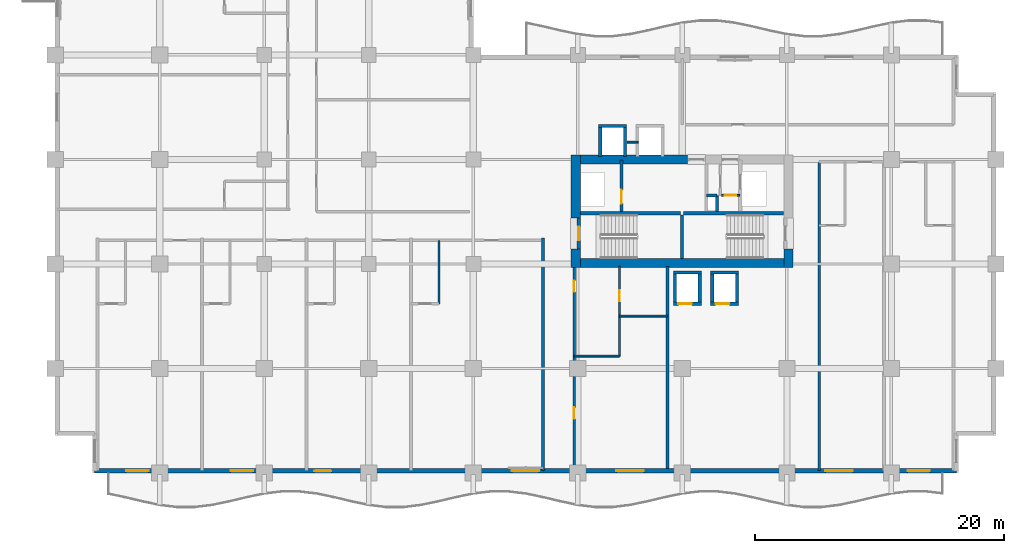
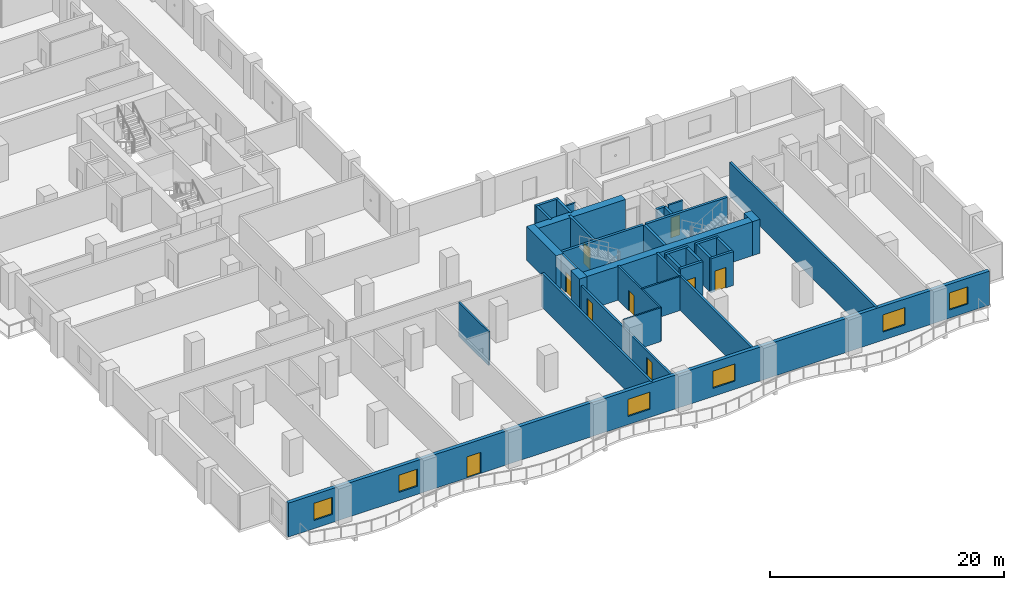
# One storey, part 5 of 18: 34 walls, 9 doors, 6 windows, 15 openings.
"""IFC4 building model written with IfcOpenShell, lengths in metres."""

import ifcopenshell
import ifcopenshell.guid

model = None  # the IFC model being written
_history = None  # IfcOwnerHistory: only IFC2X3 demands one
_inside = {}  # id of a spatial element -> (the spatial element, [elements in it])
_under = {}  # id of a project, library or spatial element -> (it, [spatial elements below it])
_declared = {}  # id of a project -> (the project, [libraries it declares])
_typed = {}  # id of a type object -> (the type object, [elements of that type])
_made_of = {}  # id of a material, layer set ... -> (it, [elements and type objects made of it])


def new_model(schema):
    """Start an empty IFC model of exactly this schema.

    Asked for "IFC4X3", IfcOpenShell would pick the latest addendum, in which some entities
    have other attributes; the version numbers below select the first issue.
    IFC2X3 requires an IfcOwnerHistory on every rooted entity: one is made here for all.
    """
    global model, _history
    if schema == "IFC4X3":
        model = ifcopenshell.file(schema_version=(4, 3, 0, 0))
    else:
        model = ifcopenshell.file(schema=schema)
    _inside.clear()
    _under.clear()
    _declared.clear()
    _typed.clear()
    _made_of.clear()
    _history = None
    if model.schema == "IFC2X3":
        org = make("IfcOrganization", Name="unknown")
        user = make(
            "IfcPersonAndOrganization",
            ThePerson=make("IfcPerson", FamilyName="unknown"),
            TheOrganization=org,
        )
        app = make(
            "IfcApplication",
            ApplicationDeveloper=org,
            Version="unknown",
            ApplicationFullName="unknown",
            ApplicationIdentifier="unknown",
        )
        _history = make(
            "IfcOwnerHistory",
            OwningUser=user,
            OwningApplication=app,
            ChangeAction="ADDED",
            CreationDate=0,
        )
    return model


def make(cls, **values):
    """One entity of the class cls with the attributes given. An attribute that is None is left unset."""
    return model.create_entity(
        cls, **{name: value for name, value in values.items() if value is not None}
    )


def rooted(cls, **values):
    """An entity with a GlobalId (a new one), such as an element, a storey or a relation."""
    return make(cls, GlobalId=ifcopenshell.guid.new(), OwnerHistory=_history, **values)


def si_unit(unit_type, name, prefix=None):
    """IfcSIUnit, for example si_unit("LENGTHUNIT", "METRE", prefix="MILLI")."""
    return make("IfcSIUnit", UnitType=unit_type, Prefix=prefix, Name=name)


def assignment(units):
    """IfcUnitAssignment: the units of a project."""
    return None if units is None else make("IfcUnitAssignment", Units=units)


def point(xyz):
    """IfcCartesianPoint."""
    return None if xyz is None else make("IfcCartesianPoint", Coordinates=xyz)


def direction(xyz):
    """IfcDirection."""
    return None if xyz is None else make("IfcDirection", DirectionRatios=xyz)


def frame(location, z_axis=None, x_axis=None):
    """IfcAxis2Placement3D, a coordinate frame: its origin and axes. An axis left out is left unset."""
    return make(
        "IfcAxis2Placement3D",
        Location=point(location),
        Axis=direction(z_axis),
        RefDirection=direction(x_axis),
    )


def frame_2d(location, x_axis=None):
    """IfcAxis2Placement2D, a coordinate frame in the plane: its origin and x axis."""
    return make(
        "IfcAxis2Placement2D", Location=point(location), RefDirection=direction(x_axis)
    )


def origin():
    """The frame at (0, 0, 0) with its axes left unset."""
    return frame((0.0, 0.0, 0.0))


def place(relative_to, where):
    """IfcLocalPlacement: puts the frame where relative to a parent placement (None: the world)."""
    return make(
        "IfcLocalPlacement", PlacementRelTo=relative_to, RelativePlacement=where
    )


def context(
    kind, dimensions, precision=None, world=None, true_north=None, identifier=None
):
    """IfcGeometricRepresentationContext, for example the 3D "Model" context."""
    return make(
        "IfcGeometricRepresentationContext",
        ContextIdentifier=identifier,
        ContextType=kind,
        CoordinateSpaceDimension=dimensions,
        Precision=precision,
        WorldCoordinateSystem=world,
        TrueNorth=true_north,
    )


def subcontext(parent, identifier, kind, view, scale=None):
    """IfcGeometricRepresentationSubContext, for example "Body" below "Model"."""
    return make(
        "IfcGeometricRepresentationSubContext",
        ContextIdentifier=identifier,
        ContextType=kind,
        ParentContext=parent,
        TargetScale=scale,
        TargetView=view,
    )


def project(units=None, contexts=None):
    """IfcProject with its units and contexts."""
    return rooted(
        "IfcProject",
        Name="project",
        RepresentationContexts=contexts,
        UnitsInContext=assignment(units),
    )


def spatial(cls, under=None, at=None, **own):
    """A site, building, storey or space (cls), placed at a placement, below another one or the project."""
    s = rooted(cls, ObjectPlacement=at, **own)
    if under is not None:
        _under.setdefault(under.id(), (under, []))[1].append(s)
    return s


def profile(cls, at=None, kind="AREA", **sizes):
    """A parametric profile (cls). Its sizes go by their IFC names, for example OverallWidth=200.0."""
    return make(cls, ProfileType=kind, Position=at, **sizes)


def rectangle(**sizes):
    """IfcRectangleProfileDef."""
    return profile("IfcRectangleProfileDef", **sizes)


def extrude(swept, where, along, depth):
    """IfcExtrudedAreaSolid: the profile swept, set in the frame where, extruded along a direction by depth."""
    return make(
        "IfcExtrudedAreaSolid",
        SweptArea=swept,
        Position=where,
        ExtrudedDirection=direction(along),
        Depth=depth,
    )


def shape(context_of_items, identifier, shape_type, items):
    """IfcShapeRepresentation: the items that make up one representation, for example the "Body"."""
    return make(
        "IfcShapeRepresentation",
        ContextOfItems=context_of_items,
        RepresentationIdentifier=identifier,
        RepresentationType=shape_type,
        Items=items,
    )


def material(Name=None, Category=None):
    """IfcMaterial."""
    return make("IfcMaterial", Name=Name, Category=Category)


def layer(
    of_material, thickness, ventilated=None, Name=None, Category=None, Priority=None
):
    """IfcMaterialLayer: one layer of a wall or slab, of a material (None: an air gap)."""
    return make(
        "IfcMaterialLayer",
        Material=of_material,
        LayerThickness=thickness,
        IsVentilated=ventilated,
        Name=Name,
        Category=Category,
        Priority=Priority,
    )


def layer_set(layers, Name=None):
    """IfcMaterialLayerSet."""
    return make("IfcMaterialLayerSet", MaterialLayers=layers, LayerSetName=Name)


def made_of(thing, what):
    """Note that an element or type object is made of a material, layer set ...; save() writes the relation."""
    if what is not None:
        _made_of.setdefault(what.id(), (what, []))[1].append(thing)
    return thing


def type_object(cls, material=None, **own):
    """A type object (cls), such as IfcWallType, which elements share."""
    return made_of(rooted(cls, **own), material)


def element(
    cls,
    number,
    at=None,
    inside=None,
    cuts=None,
    type_object=None,
    material=None,
    context=None,
    identifier="Body",
    shape_type=None,
    held_by="IfcProductDefinitionShape",
    body=None,
    shapes=None,
    **own,
):
    """One element of the class cls, such as IfcWall. Its Tag is "e" and its number.

    at: its placement. inside: the storey or other place that contains it. cuts: it is an
    opening in that element (IfcRelVoidsElement). A single representation is given by context,
    identifier, shape_type and body (its items); several are given by shapes. held_by: the class
    of the entity that holds the representations. save() writes the other relations.
    """
    e = rooted(cls, Tag="e%d" % number, ObjectPlacement=at, **own)
    if body is not None:
        shapes = [shape(context, identifier, shape_type, body)]
    if shapes is not None:
        e.Representation = make(held_by, Representations=shapes)
    if inside is not None:
        _inside.setdefault(inside.id(), (inside, []))[1].append(e)
    if cuts is not None:
        rooted(
            "IfcRelVoidsElement", RelatingBuildingElement=cuts, RelatedOpeningElement=e
        )
    if type_object is not None:
        _typed.setdefault(type_object.id(), (type_object, []))[1].append(e)
    return made_of(e, material)


def fill(opening, filler):
    """IfcRelFillsElement: the door or window that sits in an opening."""
    return rooted(
        "IfcRelFillsElement",
        RelatingOpeningElement=opening,
        RelatedBuildingElement=filler,
    )


def aggregate(whole, parts):
    """IfcRelAggregates: a whole, such as a stair, and the parts it consists of."""
    return rooted("IfcRelAggregates", RelatingObject=whole, RelatedObjects=parts)


def save(model, path):
    """Write the relations noted so far, then the file.

    IfcRelAggregates (storeys below a building ...), IfcRelContainedInSpatialStructure (elements
    in a storey), IfcRelDefinesByType, IfcRelAssociatesMaterial and IfcRelDeclares: one each for
    every whole, place, type object, material and project.
    """
    for whole, parts in _under.values():
        aggregate(whole, parts)
    for where, things in _inside.values():
        rooted(
            "IfcRelContainedInSpatialStructure",
            RelatedElements=things,
            RelatingStructure=where,
        )
    for kind, things in _typed.values():
        rooted("IfcRelDefinesByType", RelatedObjects=things, RelatingType=kind)
    for what, things in _made_of.values():
        rooted("IfcRelAssociatesMaterial", RelatedObjects=things, RelatingMaterial=what)
    for by, libraries in _declared.values():
        rooted("IfcRelDeclares", RelatingContext=by, RelatedDefinitions=libraries)
    model.write(path)


model = new_model("IFC4")

# Units and contexts
model_context = context("Model", 3, precision=1e-05, world=origin(), true_north=direction((0.0, 1.0)))
body_context = subcontext(model_context, "Body", "Model", "MODEL_VIEW")
ifc_project = project(units=[si_unit("LENGTHUNIT", "METRE"), si_unit("AREAUNIT", "SQUARE_METRE"), si_unit("VOLUMEUNIT", "CUBIC_METRE"), si_unit("PLANEANGLEUNIT", "RADIAN"), si_unit("MASSUNIT", "GRAM", prefix="KILO")], contexts=[model_context])

# Site, building, storey
site_placement = place(None, origin())
site = spatial("IfcSite", under=ifc_project, at=site_placement, CompositionType="ELEMENT")
building_placement = place(site_placement, origin())
building = spatial("IfcBuilding", under=site, at=building_placement, Name="Koriwani Terraces Tower", CompositionType="ELEMENT")
storey_placement = place(building_placement, frame((0.0, 0.0, 107.60009765625)))
storey = spatial("IfcBuildingStorey", under=building, at=storey_placement, Name="L25", CompositionType="ELEMENT", Elevation=107.60009765625)

# Walls
ifc_material_1 = material(Name="Concrete C60/75", Category="concrete")
ifc_layer_1 = layer(ifc_material_1, 0.75, Name="Concrete C60/75")
ifc_layer_set_1 = layer_set([ifc_layer_1], Name="Concrete C60/75")
wall_type_1 = type_object("IfcWallType", Name="WALL_CORE_RC_750", PredefinedType="SHEAR", material=ifc_layer_set_1)
wall_1_placement = place(storey_placement, frame((41.824951171875, 16.5, 0.0), z_axis=(0.0, 0.0, 1.0), x_axis=(0.0, 1.0, 0.0)))
element("IfcWall", 1, at=wall_1_placement, inside=storey, type_object=wall_type_1, Name="L25 East Split Core Shear Wall W1", PredefinedType="SHEAR", context=body_context, shape_type="SweptSolid", body=[
    extrude(rectangle(XDim=1.5, YDim=0.75, at=frame_2d((0.75, 0.0))), origin(), (0.0, 0.0, 1.0), 3.5498046875),
])
wall_2_placement = place(storey_placement, frame((41.824951171875, 20.5, 0.0), z_axis=(0.0, 0.0, 1.0), x_axis=(0.0, 1.0, 0.0)))
element("IfcWall", 2, at=wall_2_placement, inside=storey, type_object=wall_type_1, Name="L25 East Split Core Shear Wall W2", PredefinedType="SHEAR", context=body_context, shape_type="SweptSolid", body=[
    extrude(rectangle(XDim=5.074951171875, YDim=0.75, at=frame_2d((2.53759765625, 0.0))), origin(), (0.0, 0.0, 1.0), 3.5498046875),
])
wall_3_placement = place(storey_placement, frame((58.925048828125, 16.5, 0.0), z_axis=(0.0, 0.0, 1.0), x_axis=(0.0, 1.0, 0.0)))
element("IfcWall", 3, at=wall_3_placement, inside=storey, type_object=wall_type_1, Name="L25 East Split Core Shear Wall E1", PredefinedType="SHEAR", context=body_context, shape_type="SweptSolid", body=[
    extrude(rectangle(XDim=1.5, YDim=0.75, at=frame_2d((0.75, 0.0))), origin(), (0.0, 0.0, 1.0), 3.5498046875),
])
wall_4_placement = place(storey_placement, frame((42.199951171875, 16.875, 0.0), z_axis=(0.0, 0.0, 1.0), x_axis=(1.0, 0.0, 0.0)))
element("IfcWall", 4, at=wall_4_placement, inside=storey, type_object=wall_type_1, Name="L25 East Split Core Shear Wall S1", PredefinedType="SHEAR", context=body_context, shape_type="SweptSolid", body=[
    extrude(rectangle(XDim=16.35009765625, YDim=0.75, at=frame_2d((8.175048828125, 0.0))), origin(), (0.0, 0.0, 1.0), 3.5498046875),
])
wall_5_placement = place(storey_placement, frame((42.199951171875, 25.199951171875, 0.0), z_axis=(0.0, 0.0, 1.0), x_axis=(1.0, 0.0, 0.0)))
element("IfcWall", 5, at=wall_5_placement, inside=storey, type_object=wall_type_1, Name="L25 East Split Core Shear Wall N1", PredefinedType="SHEAR", context=body_context, shape_type="SweptSolid", body=[
    extrude(rectangle(XDim=8.60009765625, YDim=0.75, at=frame_2d((4.300048828125, 0.0))), origin(), (0.0, 0.0, 1.0), 3.5498046875),
])

# Wall, openings, doors
ifc_material_2 = material(Name="Autoclaved Cellular Concrete Blockwork", Category="masonry")
ifc_layer_2 = layer(ifc_material_2, 0.199951171875, Name="Autoclaved Cellular Concrete Blockwork")
ifc_layer_set_2 = layer_set([ifc_layer_2], Name="Autoclaved Cellular Concrete Blockwork")
wall_type_2 = type_object("IfcWallType", Name="WALL_CORRIDOR_200", PredefinedType="PARTITIONING", material=ifc_layer_set_2)
wall_6_placement = place(storey_placement, frame((41.699951171875, 0.35009765625, 0.0), z_axis=(0.0, 0.0, 1.0), x_axis=(0.0, 1.0, 0.0)))
wall_6 = element("IfcWall", 6, at=wall_6_placement, inside=storey, type_object=wall_type_2, Name="L25 Interior Wall WREC-EW-L25", PredefinedType="PARTITIONING", context=body_context, shape_type="SweptSolid", body=[
    extrude(rectangle(XDim=16.25, YDim=0.199951171875, at=frame_2d((8.125, 0.0))), origin(), (0.0, 0.0, 1.0), 2.7998046875),
])
opening_1_placement = place(wall_6_placement, frame((4.0, 0.0, 0.0)))
opening_1 = element("IfcOpeningElement", 7, at=opening_1_placement, cuts=wall_6, Name="Opening D-06", PredefinedType="OPENING", context=body_context, shape_type="SweptSolid", body=[
    extrude(rectangle(XDim=0.919921875, YDim=2.10009765625, at=frame_2d((0.4599609375, 1.050048828125))), frame((0.0, 0.10986328125, 0.0), z_axis=(0.0, -1.0, 0.0), x_axis=(1.0, 0.0, 0.0)), (0.0, 0.0, 1.0), 0.219970703125),
])
opening_2_placement = place(wall_6_placement, frame((14.199951171875, 0.0, 0.0)))
opening_2 = element("IfcOpeningElement", 8, at=opening_2_placement, cuts=wall_6, Name="Opening D-06", PredefinedType="OPENING", context=body_context, shape_type="SweptSolid", body=[
    extrude(rectangle(XDim=0.919921875, YDim=2.10009765625, at=frame_2d((0.4599609375, 1.050048828125))), frame((0.0, 0.10986328125, 0.0), z_axis=(0.0, -1.0, 0.0), x_axis=(1.0, 0.0, 0.0)), (0.0, 0.0, 1.0), 0.219970703125),
])
ifc_material_3 = material(Name="Architectural Oak Fire Door", Category="wood")
door_type_1 = type_object("IfcDoorType", Name="DOOR_ROOM_INT_920X2100", OperationType="NOTDEFINED", PredefinedType="DOOR", material=ifc_material_3)
door_1_placement = place(opening_1_placement, origin())
door_1 = element("IfcDoor", 9, at=door_1_placement, inside=storey, type_object=door_type_1, Name="L25 Floor Study Lounge Door", OperationType="SINGLE_SWING_RIGHT", OverallHeight=2.10009765625, OverallWidth=0.919921875, PredefinedType="DOOR", context=body_context, shape_type="SweptSolid", body=[
    extrude(rectangle(XDim=0.919921875, YDim=2.10009765625, at=frame_2d((0.4599609375, 1.050048828125))), frame((0.0, 0.02490234375, 0.0), z_axis=(0.0, -1.0, 0.0), x_axis=(1.0, 0.0, 0.0)), (0.0, 0.0, 1.0), 0.050048828125),
])
fill(opening_1, door_1)
door_2_placement = place(opening_2_placement, origin())
door_2 = element("IfcDoor", 10, at=door_2_placement, inside=storey, type_object=door_type_1, Name="L25 Housekeeping Store Door", OperationType="SINGLE_SWING_LEFT", OverallHeight=2.10009765625, OverallWidth=0.919921875, PredefinedType="DOOR", context=body_context, shape_type="SweptSolid", body=[
    extrude(rectangle(XDim=0.919921875, YDim=2.10009765625, at=frame_2d((0.4599609375, 1.050048828125))), frame((0.0, 0.02490234375, 0.0), z_axis=(0.0, -1.0, 0.0), x_axis=(1.0, 0.0, 0.0)), (0.0, 0.0, 1.0), 0.050048828125),
])
fill(opening_2, door_2)

# Walls
ifc_layer_3 = layer(ifc_material_2, 0.219970703125, Name="Autoclaved Cellular Concrete Blockwork")
ifc_layer_set_3 = layer_set([ifc_layer_3], Name="Autoclaved Cellular Concrete Blockwork")
wall_type_3 = type_object("IfcWallType", Name="WALL_DEMISING_220", PredefinedType="PARTITIONING", material=ifc_layer_set_3)
wall_7_placement = place(storey_placement, frame((49.199951171875, 0.35009765625, 0.0), z_axis=(0.0, 0.0, 1.0), x_axis=(0.0, 1.0, 0.0)))
element("IfcWall", 11, at=wall_7_placement, inside=storey, type_object=wall_type_3, Name="L25 Interior Wall WREC-EE-L25", PredefinedType="PARTITIONING", context=body_context, shape_type="SweptSolid", body=[
    extrude(rectangle(XDim=16.25, YDim=0.219970703125, at=frame_2d((8.125, 0.0))), origin(), (0.0, 0.0, 1.0), 3.5498046875),
])
wall_8_placement = place(storey_placement, frame((39.199951171875, 0.199951171875, 0.0), z_axis=(0.0, 0.0, 1.0), x_axis=(0.0, 1.0, 0.0)))
element("IfcWall", 12, at=wall_8_placement, inside=storey, type_object=wall_type_3, Name="L25 Interior Wall WDEME-L25-SW", PredefinedType="PARTITIONING", context=body_context, shape_type="SweptSolid", body=[
    extrude(rectangle(XDim=18.679931640625, YDim=0.219970703125, at=frame_2d((9.33984375, 0.0))), origin(), (0.0, 0.0, 1.0), 3.5498046875),
])
wall_9_placement = place(storey_placement, frame((61.39990234375, 0.199951171875, 0.0), z_axis=(0.0, 0.0, 1.0), x_axis=(0.0, 1.0, 0.0)))
element("IfcWall", 13, at=wall_9_placement, inside=storey, type_object=wall_type_3, Name="L25 Interior Wall WDEM-L25-SE-0", PredefinedType="PARTITIONING", context=body_context, shape_type="SweptSolid", body=[
    extrude(rectangle(XDim=24.97998046875, YDim=0.219970703125, at=frame_2d((12.489990234375, 0.0))), origin(), (0.0, 0.0, 1.0), 3.5498046875),
])

# Wall, openings, door, windows
ifc_material_4 = material(Name="Concrete C50/60", Category="concrete")
ifc_layer_4 = layer(ifc_material_4, 0.35009765625, Name="Concrete C50/60")
ifc_layer_set_4 = layer_set([ifc_layer_4], Name="Concrete C50/60")
wall_type_4 = type_object("IfcWallType", Name="WALL_EXT_BRUTALIST_350", PredefinedType="STANDARD", material=ifc_layer_set_4)
wall_10_placement = place(storey_placement, frame((72.425048828125, 0.175048828125, 0.0), z_axis=(0.0, 0.0, 1.0), x_axis=(-1.0, 0.0, 0.0)))
wall_10 = element("IfcWall", 14, at=wall_10_placement, inside=storey, type_object=wall_type_4, Name="L25 Fair-Faced Brutalist Exterior Wall (S)", PredefinedType="STANDARD", context=body_context, shape_type="SweptSolid", body=[
    extrude(rectangle(XDim=69.25, YDim=0.35009765625, at=frame_2d((34.625, 0.0))), origin(), (0.0, 0.0, 1.0), 3.5498046875),
])
opening_3_placement = place(wall_10_placement, frame((50.22509765625, 0.0, 0.0)))
opening_3 = element("IfcOpeningElement", 15, at=opening_3_placement, cuts=wall_10, Name="Opening D-09", PredefinedType="OPENING", context=body_context, shape_type="SweptSolid", body=[
    extrude(rectangle(XDim=1.39990234375, YDim=2.199951171875, at=frame_2d((0.699951171875, 1.10009765625))), frame((0.0, 0.18505859375, 0.0), z_axis=(0.0, -1.0, 0.0), x_axis=(1.0, 0.0, 0.0)), (0.0, 0.0, 1.0), 0.3701171875),
])
opening_4_placement = place(wall_10_placement, frame((33.52490234375, 0.0, 0.85009765625)))
opening_4 = element("IfcOpeningElement", 16, at=opening_4_placement, cuts=wall_10, Name="Opening W-01", PredefinedType="OPENING", context=body_context, shape_type="SweptSolid", body=[
    extrude(rectangle(XDim=2.199951171875, YDim=1.800048828125, at=frame_2d((1.10009765625, 0.89990234375))), frame((0.0, 0.18505859375, 0.0), z_axis=(0.0, -1.0, 0.0), x_axis=(1.0, 0.0, 0.0)), (0.0, 0.0, 1.0), 0.3701171875),
])
opening_5_placement = place(wall_10_placement, frame((25.125, 0.0, 0.85009765625)))
opening_5 = element("IfcOpeningElement", 17, at=opening_5_placement, cuts=wall_10, Name="Opening W-01", PredefinedType="OPENING", context=body_context, shape_type="SweptSolid", body=[
    extrude(rectangle(XDim=2.199951171875, YDim=1.800048828125, at=frame_2d((1.10009765625, 0.89990234375))), frame((0.0, 0.18505859375, 0.0), z_axis=(0.0, -1.0, 0.0), x_axis=(1.0, 0.0, 0.0)), (0.0, 0.0, 1.0), 0.3701171875),
])
opening_6_placement = place(wall_10_placement, frame((8.324951171875, 0.0, 0.85009765625)))
opening_6 = element("IfcOpeningElement", 18, at=opening_6_placement, cuts=wall_10, Name="Opening W-01", PredefinedType="OPENING", context=body_context, shape_type="SweptSolid", body=[
    extrude(rectangle(XDim=2.199951171875, YDim=1.800048828125, at=frame_2d((1.10009765625, 0.89990234375))), frame((0.0, 0.18505859375, 0.0), z_axis=(0.0, -1.0, 0.0), x_axis=(1.0, 0.0, 0.0)), (0.0, 0.0, 1.0), 0.3701171875),
])
opening_7_placement = place(wall_10_placement, frame((64.925048828125, 0.0, 0.85009765625)))
opening_7 = element("IfcOpeningElement", 19, at=opening_7_placement, cuts=wall_10, Name="Opening W-04", PredefinedType="OPENING", context=body_context, shape_type="SweptSolid", body=[
    extrude(rectangle(XDim=1.800048828125, YDim=1.800048828125, at=frame_2d((0.89990234375, 0.89990234375))), frame((0.0, 0.18505859375, 0.0), z_axis=(0.0, -1.0, 0.0), x_axis=(1.0, 0.0, 0.0)), (0.0, 0.0, 1.0), 0.3701171875),
])
opening_8_placement = place(wall_10_placement, frame((56.52490234375, 0.0, 0.85009765625)))
opening_8 = element("IfcOpeningElement", 20, at=opening_8_placement, cuts=wall_10, Name="Opening W-04", PredefinedType="OPENING", context=body_context, shape_type="SweptSolid", body=[
    extrude(rectangle(XDim=1.800048828125, YDim=1.800048828125, at=frame_2d((0.89990234375, 0.89990234375))), frame((0.0, 0.18505859375, 0.0), z_axis=(0.0, -1.0, 0.0), x_axis=(1.0, 0.0, 0.0)), (0.0, 0.0, 1.0), 0.3701171875),
])
opening_9_placement = place(wall_10_placement, frame((2.125, 0.0, 0.85009765625)))
opening_9 = element("IfcOpeningElement", 21, at=opening_9_placement, cuts=wall_10, Name="Opening W-04", PredefinedType="OPENING", context=body_context, shape_type="SweptSolid", body=[
    extrude(rectangle(XDim=1.800048828125, YDim=1.800048828125, at=frame_2d((0.89990234375, 0.89990234375))), frame((0.0, 0.18505859375, 0.0), z_axis=(0.0, -1.0, 0.0), x_axis=(1.0, 0.0, 0.0)), (0.0, 0.0, 1.0), 0.3701171875),
])
ifc_material_5 = material(Name="Anodised Bronze Aluminium", Category="aluminium")
door_type_2 = type_object("IfcDoorType", Name="DOOR_BALCONY_GLAZED_1400X2200", OperationType="NOTDEFINED", PredefinedType="DOOR", material=ifc_material_5)
door_3_placement = place(opening_3_placement, origin())
door_3 = element("IfcDoor", 22, at=door_3_placement, inside=storey, type_object=door_type_2, Name="L25 South Balcony Glazed Door", OperationType="SINGLE_SWING_LEFT", OverallHeight=2.199951171875, OverallWidth=1.39990234375, PredefinedType="DOOR", context=body_context, shape_type="SweptSolid", body=[
    extrude(rectangle(XDim=1.39990234375, YDim=2.199951171875, at=frame_2d((0.699951171875, 1.10009765625))), frame((0.0, 0.02490234375, 0.0), z_axis=(0.0, -1.0, 0.0), x_axis=(1.0, 0.0, 0.0)), (0.0, 0.0, 1.0), 0.050048828125),
])
fill(opening_3, door_3)
ifc_material_6 = material(Name="Tempered Laminated Low-E Glass", Category="glass")
window_type_1 = type_object("IfcWindowType", Name="WIN_HOTEL_STD_2200X1800", PartitioningType="DOUBLE_PANEL_VERTICAL", PredefinedType="WINDOW", material=ifc_material_6)
window_1_placement = place(opening_4_placement, origin())
window_1 = element("IfcWindow", 23, at=window_1_placement, inside=storey, type_object=window_type_1, Name="L25 Exterior Window (S-12)", OverallHeight=1.800048828125, OverallWidth=2.199951171875, PartitioningType="SINGLE_PANEL", PredefinedType="WINDOW", context=body_context, shape_type="SweptSolid", body=[
    extrude(rectangle(XDim=2.199951171875, YDim=1.800048828125, at=frame_2d((1.10009765625, 0.89990234375))), frame((0.0, 0.030029296875, 0.0), z_axis=(0.0, -1.0, 0.0), x_axis=(1.0, 0.0, 0.0)), (0.0, 0.0, 1.0), 0.06005859375),
])
fill(opening_4, window_1)
window_2_placement = place(opening_5_placement, origin())
window_2 = element("IfcWindow", 24, at=window_2_placement, inside=storey, type_object=window_type_1, Name="L25 Exterior Window (S-15)", OverallHeight=1.800048828125, OverallWidth=2.199951171875, PartitioningType="SINGLE_PANEL", PredefinedType="WINDOW", context=body_context, shape_type="SweptSolid", body=[
    extrude(rectangle(XDim=2.199951171875, YDim=1.800048828125, at=frame_2d((1.10009765625, 0.89990234375))), frame((0.0, 0.030029296875, 0.0), z_axis=(0.0, -1.0, 0.0), x_axis=(1.0, 0.0, 0.0)), (0.0, 0.0, 1.0), 0.06005859375),
])
fill(opening_5, window_2)
window_3_placement = place(opening_6_placement, origin())
window_3 = element("IfcWindow", 25, at=window_3_placement, inside=storey, type_object=window_type_1, Name="L25 Exterior Window (S-21)", OverallHeight=1.800048828125, OverallWidth=2.199951171875, PartitioningType="SINGLE_PANEL", PredefinedType="WINDOW", context=body_context, shape_type="SweptSolid", body=[
    extrude(rectangle(XDim=2.199951171875, YDim=1.800048828125, at=frame_2d((1.10009765625, 0.89990234375))), frame((0.0, 0.030029296875, 0.0), z_axis=(0.0, -1.0, 0.0), x_axis=(1.0, 0.0, 0.0)), (0.0, 0.0, 1.0), 0.06005859375),
])
fill(opening_6, window_3)
window_type_2 = type_object("IfcWindowType", Name="WIN_RES_BED_1800X1800", PartitioningType="DOUBLE_PANEL_VERTICAL", PredefinedType="WINDOW", material=ifc_material_6)
window_4_placement = place(opening_7_placement, origin())
window_4 = element("IfcWindow", 26, at=window_4_placement, inside=storey, type_object=window_type_2, Name="L25 Exterior Window (S-R34)", OverallHeight=1.800048828125, OverallWidth=1.800048828125, PartitioningType="SINGLE_PANEL", PredefinedType="WINDOW", context=body_context, shape_type="SweptSolid", body=[
    extrude(rectangle(XDim=1.800048828125, YDim=1.800048828125, at=frame_2d((0.89990234375, 0.89990234375))), frame((0.0, 0.030029296875, 0.0), z_axis=(0.0, -1.0, 0.0), x_axis=(1.0, 0.0, 0.0)), (0.0, 0.0, 1.0), 0.06005859375),
])
fill(opening_7, window_4)
window_5_placement = place(opening_8_placement, origin())
window_5 = element("IfcWindow", 27, at=window_5_placement, inside=storey, type_object=window_type_2, Name="L25 Exterior Window (S-R36)", OverallHeight=1.800048828125, OverallWidth=1.800048828125, PartitioningType="SINGLE_PANEL", PredefinedType="WINDOW", context=body_context, shape_type="SweptSolid", body=[
    extrude(rectangle(XDim=1.800048828125, YDim=1.800048828125, at=frame_2d((0.89990234375, 0.89990234375))), frame((0.0, 0.030029296875, 0.0), z_axis=(0.0, -1.0, 0.0), x_axis=(1.0, 0.0, 0.0)), (0.0, 0.0, 1.0), 0.06005859375),
])
fill(opening_8, window_5)
window_6_placement = place(opening_9_placement, origin())
window_6 = element("IfcWindow", 28, at=window_6_placement, inside=storey, type_object=window_type_2, Name="L25 Exterior Window (S-R57)", OverallHeight=1.800048828125, OverallWidth=1.800048828125, PartitioningType="SINGLE_PANEL", PredefinedType="WINDOW", context=body_context, shape_type="SweptSolid", body=[
    extrude(rectangle(XDim=1.800048828125, YDim=1.800048828125, at=frame_2d((0.89990234375, 0.89990234375))), frame((0.0, 0.030029296875, 0.0), z_axis=(0.0, -1.0, 0.0), x_axis=(1.0, 0.0, 0.0)), (0.0, 0.0, 1.0), 0.06005859375),
])
fill(opening_9, window_6)

# Walls
ifc_material_7 = material(Name="Fire-Rated Acoustic Gypsum Partition", Category="masonry")
ifc_layer_5 = layer(ifc_material_7, 0.179931640625, Name="Fire-Rated Acoustic Gypsum Partition")
ifc_layer_set_5 = layer_set([ifc_layer_5], Name="Fire-Rated Acoustic Gypsum Partition")
wall_type_5 = type_object("IfcWallType", Name="WALL_PLUMBING_180", PredefinedType="PLUMBINGWALL", material=ifc_layer_set_5)
wall_11_placement = place(storey_placement, frame((30.85009765625, 13.60009765625, 0.0), z_axis=(0.0, 0.0, 1.0), x_axis=(0.0, 1.0, 0.0)))
element("IfcWall", 29, at=wall_11_placement, inside=storey, type_object=wall_type_5, Name="L25 Interior Wall WBTH2-L25-SW-3", PredefinedType="PLUMBINGWALL", context=body_context, shape_type="SweptSolid", body=[
    extrude(rectangle(XDim=5.099853515625, YDim=0.179931640625, at=frame_2d((2.5498046875, 0.0))), origin(), (0.0, 0.0, 1.0), 3.5498046875),
])
ifc_material_8 = material(Name="Concrete C40/50", Category="concrete")
ifc_layer_6 = layer(ifc_material_8, 0.25, Name="Concrete C40/50")
ifc_layer_set_6 = layer_set([ifc_layer_6], Name="Concrete C40/50")
wall_type_6 = type_object("IfcWallType", Name="WALL_SHAFT_RATED_250", PredefinedType="SOLIDWALL", material=ifc_layer_set_6)
for number, where, z_axis, x_axis, name in (
    (30, (42.199951171875, 20.875, 0.0), (0.0, 0.0, 1.0), (1.0, 0.0, 0.0), "L25 East Split Core Web Wall MID1"),
    (31, (50.5, 20.875, 0.0), (0.0, 0.0, 1.0), (1.0, 0.0, 0.0), "L25 East Split Core Web Wall MID2"),
):
    element("IfcWall", number, at=place(storey_placement, frame(where, z_axis=z_axis, x_axis=x_axis)), inside=storey, type_object=wall_type_6, Name=name, PredefinedType="SOLIDWALL", context=body_context, shape_type="SweptSolid", body=[
        extrude(rectangle(XDim=8.050048828125, YDim=0.25, at=frame_2d((4.02490234375, 0.0))), origin(), (0.0, 0.0, 1.0), 3.5498046875),
    ])
wall_12_placement = place(storey_placement, frame((50.375, 17.25, 0.0), z_axis=(0.0, 0.0, 1.0), x_axis=(0.0, 1.0, 0.0)))
element("IfcWall", 32, at=wall_12_placement, inside=storey, type_object=wall_type_6, Name="L25 East Split Core Stair Dividing Wall", PredefinedType="SOLIDWALL", context=body_context, shape_type="SweptSolid", body=[
    extrude(rectangle(XDim=3.5, YDim=0.25, at=frame_2d((1.75, 0.0))), origin(), (0.0, 0.0, 1.0), 3.5498046875),
])

# Wall, opening, door
wall_13_placement = place(storey_placement, frame((42.074951171875, 18.0, 0.0), z_axis=(0.0, 0.0, 1.0), x_axis=(0.0, 1.0, 0.0)))
wall_13 = element("IfcWall", 33, at=wall_13_placement, inside=storey, type_object=wall_type_6, Name="L25 Interior Wall WIN-CE-L25-STW", PredefinedType="SOLIDWALL", context=body_context, shape_type="SweptSolid", body=[
    extrude(rectangle(XDim=2.5, YDim=0.25, at=frame_2d((1.25, 0.0))), origin(), (0.0, 0.0, 1.0), 3.5498046875),
])
opening_10_placement = place(wall_13_placement, frame((0.699951171875, 0.0, 0.0)))
opening_10 = element("IfcOpeningElement", 34, at=opening_10_placement, cuts=wall_13, Name="Opening D-03", PredefinedType="OPENING", context=body_context, shape_type="SweptSolid", body=[
    extrude(rectangle(XDim=1.10009765625, YDim=2.14990234375, at=frame_2d((0.550048828125, 1.074951171875))), frame((0.0, 0.135009765625, 0.0), z_axis=(0.0, -1.0, 0.0), x_axis=(1.0, 0.0, 0.0)), (0.0, 0.0, 1.0), 0.27001953125),
])
ifc_material_9 = material(Name="Steel ASTM A572 Grade 50", Category="steel")
door_type_3 = type_object("IfcDoorType", Name="DOOR_STAIR_FIRE_1100X2150", OperationType="NOTDEFINED", PredefinedType="DOOR", material=ifc_material_9)
door_4_placement = place(opening_10_placement, origin())
door_4 = element("IfcDoor", 35, at=door_4_placement, inside=storey, type_object=door_type_3, Name="L25 Exit Stair ST-E1 Door", OperationType="SINGLE_SWING_LEFT", OverallHeight=2.14990234375, OverallWidth=1.10009765625, PredefinedType="DOOR", context=body_context, shape_type="SweptSolid", body=[
    extrude(rectangle(XDim=1.10009765625, YDim=2.14990234375, at=frame_2d((0.550048828125, 1.074951171875))), frame((0.0, 0.02490234375, 0.0), z_axis=(0.0, -1.0, 0.0), x_axis=(1.0, 0.0, 0.0)), (0.0, 0.0, 1.0), 0.050048828125),
])
fill(opening_10, door_4)

wall_14_placement = place(storey_placement, frame((45.5, 21.0, 0.0), z_axis=(0.0, 0.0, 1.0), x_axis=(0.0, 1.0, 0.0)))
wall_14 = element("IfcWall", 36, at=wall_14_placement, inside=storey, type_object=wall_type_6, Name="L25 Interior Wall WIN-CE-L25-FE", PredefinedType="SOLIDWALL", context=body_context, shape_type="SweptSolid", body=[
    extrude(rectangle(XDim=4.14990234375, YDim=0.25, at=frame_2d((2.074951171875, 0.0))), origin(), (0.0, 0.0, 1.0), 3.5498046875),
])
opening_11_placement = place(wall_14_placement, frame((0.64990234375, 0.0, 0.0)))
opening_11 = element("IfcOpeningElement", 37, at=opening_11_placement, cuts=wall_14, Name="Opening LD-01", PredefinedType="OPENING", context=body_context, shape_type="SweptSolid", body=[
    extrude(rectangle(XDim=1.10009765625, YDim=2.14990234375, at=frame_2d((0.550048828125, 1.074951171875))), frame((0.0, 0.135009765625, 0.0), z_axis=(0.0, -1.0, 0.0), x_axis=(1.0, 0.0, 0.0)), (0.0, 0.0, 1.0), 0.27001953125),
])
door_type_4 = type_object("IfcDoorType", Name="DOOR_LIFT_LANDING_1100X2200", OperationType="NOTDEFINED", PredefinedType="DOOR", material=ifc_material_9)
door_5_placement = place(opening_11_placement, origin())
door_5 = element("IfcDoor", 38, at=door_5_placement, inside=storey, type_object=door_type_4, Name="L25 Firefighting Lift FE-02 Landing Door", OperationType="SLIDING_TO_LEFT", OverallHeight=2.14990234375, OverallWidth=1.10009765625, PredefinedType="DOOR", context=body_context, shape_type="SweptSolid", body=[
    extrude(rectangle(XDim=1.10009765625, YDim=2.14990234375, at=frame_2d((0.550048828125, 1.074951171875))), frame((0.0, 0.02490234375, 0.0), z_axis=(0.0, -1.0, 0.0), x_axis=(1.0, 0.0, 0.0)), (0.0, 0.0, 1.0), 0.050048828125),
])
fill(opening_11, door_5)

# Walls
wall_15_placement = place(storey_placement, frame((53.199951171875, 21.0, 0.0), z_axis=(0.0, 0.0, 1.0), x_axis=(0.0, 1.0, 0.0)))
element("IfcWall", 39, at=wall_15_placement, inside=storey, type_object=wall_type_6, Name="L25 Interior Wall WIN-CE-L25-RS1", PredefinedType="SOLIDWALL", context=body_context, shape_type="SweptSolid", body=[
    extrude(rectangle(XDim=1.300048828125, YDim=0.25, at=frame_2d((0.64990234375, 0.0))), origin(), (0.0, 0.0, 1.0), 3.5498046875),
])
wall_16_placement = place(storey_placement, frame((52.360107421875, 22.300048828125, 0.0), z_axis=(0.0, 0.0, 1.0), x_axis=(1.0, 0.0, 0.0)))
element("IfcWall", 40, at=wall_16_placement, inside=storey, type_object=wall_type_6, Name="L25 Interior Wall WIN-CE-L25-RS2", PredefinedType="SOLIDWALL", context=body_context, shape_type="SweptSolid", body=[
    extrude(rectangle(XDim=0.83984375, YDim=0.25, at=frame_2d((0.419921875, 0.0))), origin(), (0.0, 0.0, 1.0), 3.5498046875),
])

# Wall, opening, door
wall_17_placement = place(storey_placement, frame((49.675048828125, 13.60009765625, 0.0), z_axis=(0.0, 0.0, 1.0), x_axis=(1.0, 0.0, 0.0)))
wall_17 = element("IfcWall", 41, at=wall_17_placement, inside=storey, type_object=wall_type_6, Name="L25 Interior Wall WIN-LF-PE-M3-L25-F", PredefinedType="SOLIDWALL", context=body_context, shape_type="SweptSolid", body=[
    extrude(rectangle(XDim=2.25, YDim=0.25, at=frame_2d((1.125, 0.0))), origin(), (0.0, 0.0, 1.0), 3.5498046875),
])
opening_12_placement = place(wall_17_placement, frame((0.39990234375, 0.0, 0.0)))
opening_12 = element("IfcOpeningElement", 42, at=opening_12_placement, cuts=wall_17, Name="Opening LD-01", PredefinedType="OPENING", context=body_context, shape_type="SweptSolid", body=[
    extrude(rectangle(XDim=1.10009765625, YDim=2.14990234375, at=frame_2d((0.550048828125, 1.074951171875))), frame((0.0, 0.135009765625, 0.0), z_axis=(0.0, -1.0, 0.0), x_axis=(1.0, 0.0, 0.0)), (0.0, 0.0, 1.0), 0.27001953125),
])
door_6_placement = place(opening_12_placement, origin())
door_6 = element("IfcDoor", 43, at=door_6_placement, inside=storey, type_object=door_type_4, Name="L25 Passenger Lift PE-M3 Landing Door", OperationType="SLIDING_TO_LEFT", OverallHeight=2.14990234375, OverallWidth=1.10009765625, PredefinedType="DOOR", context=body_context, shape_type="SweptSolid", body=[
    extrude(rectangle(XDim=1.10009765625, YDim=2.14990234375, at=frame_2d((0.550048828125, 1.074951171875))), frame((0.0, 0.02490234375, 0.0), z_axis=(0.0, -1.0, 0.0), x_axis=(1.0, 0.0, 0.0)), (0.0, 0.0, 1.0), 0.050048828125),
])
fill(opening_12, door_6)

# Walls
for number, where, z_axis, x_axis, name in (
    (44, (49.675048828125, 16.10009765625, 0.0), (0.0, 0.0, 1.0), (1.0, 0.0, 0.0), "L25 Interior Wall WIN-LF-PE-M3-L25-B"),
    (45, (49.800048828125, 13.72509765625, 0.0), (0.0, 0.0, 1.0), (0.0, 1.0, 0.0), "L25 Interior Wall WIN-LF-PE-M3-L25-W"),
    (46, (51.800048828125, 13.72509765625, 0.0), (0.0, 0.0, 1.0), (0.0, 1.0, 0.0), "L25 Interior Wall WIN-LF-PE-M3-L25-E"),
):
    element("IfcWall", number, at=place(storey_placement, frame(where, z_axis=z_axis, x_axis=x_axis)), inside=storey, type_object=wall_type_6, Name=name, PredefinedType="SOLIDWALL", context=body_context, shape_type="SweptSolid", body=[
        extrude(rectangle(XDim=2.25, YDim=0.25, at=frame_2d((1.125, 0.0))), origin(), (0.0, 0.0, 1.0), 3.5498046875),
    ])

# Wall, opening, door
wall_18_placement = place(storey_placement, frame((52.675048828125, 13.60009765625, 0.0), z_axis=(0.0, 0.0, 1.0), x_axis=(1.0, 0.0, 0.0)))
wall_18 = element("IfcWall", 47, at=wall_18_placement, inside=storey, type_object=wall_type_6, Name="L25 Interior Wall WIN-LF-PE-M4-L25-F", PredefinedType="SOLIDWALL", context=body_context, shape_type="SweptSolid", body=[
    extrude(rectangle(XDim=2.25, YDim=0.25, at=frame_2d((1.125, 0.0))), origin(), (0.0, 0.0, 1.0), 3.5498046875),
])
opening_13_placement = place(wall_18_placement, frame((0.39990234375, 0.0, 0.0)))
opening_13 = element("IfcOpeningElement", 48, at=opening_13_placement, cuts=wall_18, Name="Opening LD-01", PredefinedType="OPENING", context=body_context, shape_type="SweptSolid", body=[
    extrude(rectangle(XDim=1.10009765625, YDim=2.14990234375, at=frame_2d((0.550048828125, 1.074951171875))), frame((0.0, 0.135009765625, 0.0), z_axis=(0.0, -1.0, 0.0), x_axis=(1.0, 0.0, 0.0)), (0.0, 0.0, 1.0), 0.27001953125),
])
door_7_placement = place(opening_13_placement, origin())
door_7 = element("IfcDoor", 49, at=door_7_placement, inside=storey, type_object=door_type_4, Name="L25 Passenger Lift PE-M4 Landing Door", OperationType="SLIDING_TO_LEFT", OverallHeight=2.14990234375, OverallWidth=1.10009765625, PredefinedType="DOOR", context=body_context, shape_type="SweptSolid", body=[
    extrude(rectangle(XDim=1.10009765625, YDim=2.14990234375, at=frame_2d((0.550048828125, 1.074951171875))), frame((0.0, 0.02490234375, 0.0), z_axis=(0.0, -1.0, 0.0), x_axis=(1.0, 0.0, 0.0)), (0.0, 0.0, 1.0), 0.050048828125),
])
fill(opening_13, door_7)

# Walls
for number, where, z_axis, x_axis, name in (
    (50, (52.675048828125, 16.10009765625, 0.0), (0.0, 0.0, 1.0), (1.0, 0.0, 0.0), "L25 Interior Wall WIN-LF-PE-M4-L25-B"),
    (51, (52.800048828125, 13.72509765625, 0.0), (0.0, 0.0, 1.0), (0.0, 1.0, 0.0), "L25 Interior Wall WIN-LF-PE-M4-L25-W"),
    (52, (54.800048828125, 13.72509765625, 0.0), (0.0, 0.0, 1.0), (0.0, 1.0, 0.0), "L25 Interior Wall WIN-LF-PE-M4-L25-E"),
    (53, (43.675048828125, 27.89990234375, 0.0), (0.0, 0.0, 1.0), (1.0, 0.0, 0.0), "L25 Interior Wall WIN-LF-PE-H3-L25-F"),
):
    element("IfcWall", number, at=place(storey_placement, frame(where, z_axis=z_axis, x_axis=x_axis)), inside=storey, type_object=wall_type_6, Name=name, PredefinedType="SOLIDWALL", context=body_context, shape_type="SweptSolid", body=[
        extrude(rectangle(XDim=2.25, YDim=0.25, at=frame_2d((1.125, 0.0))), origin(), (0.0, 0.0, 1.0), 3.5498046875),
    ])
for number, where, z_axis, x_axis, name in (
    (54, (43.800048828125, 25.449951171875, 0.0), (0.0, 0.0, 1.0), (0.0, 1.0, 0.0), "L25 Interior Wall WIN-LF-PE-H3-L25-W"),
    (55, (45.800048828125, 25.449951171875, 0.0), (0.0, 0.0, 1.0), (0.0, 1.0, 0.0), "L25 Interior Wall WIN-LF-PE-H3-L25-E"),
):
    element("IfcWall", number, at=place(storey_placement, frame(where, z_axis=z_axis, x_axis=x_axis)), inside=storey, type_object=wall_type_6, Name=name, PredefinedType="SOLIDWALL", context=body_context, shape_type="SweptSolid", body=[
        extrude(rectangle(XDim=2.324951171875, YDim=0.25, at=frame_2d((1.16259765625, 0.0))), origin(), (0.0, 0.0, 1.0), 3.5498046875),
    ])

# Wall, opening, door
ifc_layer_7 = layer(ifc_material_7, 0.159912109375, Name="Fire-Rated Acoustic Gypsum Partition")
ifc_layer_set_7 = layer_set([ifc_layer_7], Name="Fire-Rated Acoustic Gypsum Partition")
wall_type_7 = type_object("IfcWallType", Name="WALL_SUITE_160", PredefinedType="PARTITIONING", material=ifc_layer_set_7)
wall_19_placement = place(storey_placement, frame((53.56005859375, 22.320068359375, 0.0), z_axis=(0.0, 0.0, 1.0), x_axis=(1.0, 0.0, 0.0)))
wall_19 = element("IfcWall", 56, at=wall_19_placement, inside=storey, type_object=wall_type_7, Name="L25 Interior Wall WIN-CE-L25-SV1A", PredefinedType="PARTITIONING", context=body_context, shape_type="SweptSolid", body=[
    extrude(rectangle(XDim=1.43994140625, YDim=0.159912109375, at=frame_2d((0.719970703125, 0.0))), origin(), (0.0, 0.0, 1.0), 3.5498046875),
])
opening_14_placement = place(wall_19_placement, frame((0.260009765625, 0.0, 0.0)))
opening_14 = element("IfcOpeningElement", 57, at=opening_14_placement, cuts=wall_19, Name="Opening D-07", PredefinedType="OPENING", context=body_context, shape_type="SweptSolid", body=[
    extrude(rectangle(XDim=0.89990234375, YDim=2.10009765625, at=frame_2d((0.449951171875, 1.050048828125))), frame((0.0, 0.08984375, 0.0), z_axis=(0.0, -1.0, 0.0), x_axis=(1.0, 0.0, 0.0)), (0.0, 0.0, 1.0), 0.179931640625),
])
door_type_5 = type_object("IfcDoorType", Name="DOOR_BATH_INT_900X2100", OperationType="NOTDEFINED", PredefinedType="DOOR", material=ifc_material_3)
door_8_placement = place(opening_14_placement, origin())
door_8 = element("IfcDoor", 58, at=door_8_placement, inside=storey, type_object=door_type_5, Name="L25 East Telecom Room Door", OperationType="SINGLE_SWING_LEFT", OverallHeight=2.10009765625, OverallWidth=0.89990234375, PredefinedType="DOOR", context=body_context, shape_type="SweptSolid", body=[
    extrude(rectangle(XDim=0.89990234375, YDim=2.10009765625, at=frame_2d((0.449951171875, 1.050048828125))), frame((0.0, 0.02490234375, 0.0), z_axis=(0.0, -1.0, 0.0), x_axis=(1.0, 0.0, 0.0)), (0.0, 0.0, 1.0), 0.050048828125),
])
fill(opening_14, door_8)

# Walls
wall_20_placement = place(storey_placement, frame((45.9599609375, 26.60009765625, 0.0), z_axis=(0.0, 0.0, 1.0), x_axis=(1.0, 0.0, 0.0)))
element("IfcWall", 59, at=wall_20_placement, inside=storey, type_object=wall_type_7, Name="L25 Interior Wall WIN-LF-PEH34-MID-L25", PredefinedType="PARTITIONING", context=body_context, shape_type="SweptSolid", body=[
    extrude(rectangle(XDim=0.880126953125, YDim=0.159912109375, at=frame_2d((0.43994140625, 0.0))), origin(), (0.0, 0.0, 1.0), 3.5498046875),
])
wall_21_placement = place(storey_placement, frame((41.699951171875, 9.39990234375, 0.0), z_axis=(0.0, 0.0, 1.0), x_axis=(1.0, 0.0, 0.0)))
element("IfcWall", 60, at=wall_21_placement, inside=storey, type_object=wall_type_7, Name="L25 Interior Wall WREC-EM1-L25", PredefinedType="PARTITIONING", context=body_context, shape_type="SweptSolid", body=[
    extrude(rectangle(XDim=3.650146484375, YDim=0.159912109375, at=frame_2d((1.8251953125, 0.0))), origin(), (0.0, 0.0, 1.0), 3.5498046875),
])
wall_22_placement = place(storey_placement, frame((45.35009765625, 12.60009765625, 0.0), z_axis=(0.0, 0.0, 1.0), x_axis=(1.0, 0.0, 0.0)))
element("IfcWall", 61, at=wall_22_placement, inside=storey, type_object=wall_type_7, Name="L25 Interior Wall WREC-EM2-L25", PredefinedType="PARTITIONING", context=body_context, shape_type="SweptSolid", body=[
    extrude(rectangle(XDim=3.849853515625, YDim=0.159912109375, at=frame_2d((1.9248046875, 0.0))), origin(), (0.0, 0.0, 1.0), 3.5498046875),
])

# Wall, opening, door
wall_23_placement = place(storey_placement, frame((45.35009765625, 9.39990234375, 0.0), z_axis=(0.0, 0.0, 1.0), x_axis=(0.0, 1.0, 0.0)))
wall_23 = element("IfcWall", 62, at=wall_23_placement, inside=storey, type_object=wall_type_7, Name="L25 Interior Wall WREC-EV-L25", PredefinedType="PARTITIONING", context=body_context, shape_type="SweptSolid", body=[
    extrude(rectangle(XDim=7.2001953125, YDim=0.159912109375, at=frame_2d((3.60009765625, 0.0))), origin(), (0.0, 0.0, 1.0), 3.5498046875),
])
opening_15_placement = place(wall_23_placement, frame((4.39990234375, 0.0, 0.0)))
opening_15 = element("IfcOpeningElement", 63, at=opening_15_placement, cuts=wall_23, Name="Opening D-07", PredefinedType="OPENING", context=body_context, shape_type="SweptSolid", body=[
    extrude(rectangle(XDim=0.89990234375, YDim=2.10009765625, at=frame_2d((0.449951171875, 1.050048828125))), frame((0.0, 0.08984375, 0.0), z_axis=(0.0, -1.0, 0.0), x_axis=(1.0, 0.0, 0.0)), (0.0, 0.0, 1.0), 0.179931640625),
])
door_9_placement = place(opening_15_placement, origin())
door_9 = element("IfcDoor", 64, at=door_9_placement, inside=storey, type_object=door_type_5, Name="L25 Guest Ice Pantry Door", OperationType="SINGLE_SWING_LEFT", OverallHeight=2.10009765625, OverallWidth=0.89990234375, PredefinedType="DOOR", context=body_context, shape_type="SweptSolid", body=[
    extrude(rectangle(XDim=0.89990234375, YDim=2.10009765625, at=frame_2d((0.449951171875, 1.050048828125))), frame((0.0, 0.02490234375, 0.0), z_axis=(0.0, -1.0, 0.0), x_axis=(1.0, 0.0, 0.0)), (0.0, 0.0, 1.0), 0.050048828125),
])
fill(opening_15, door_9)

save(model, "model.ifc")
